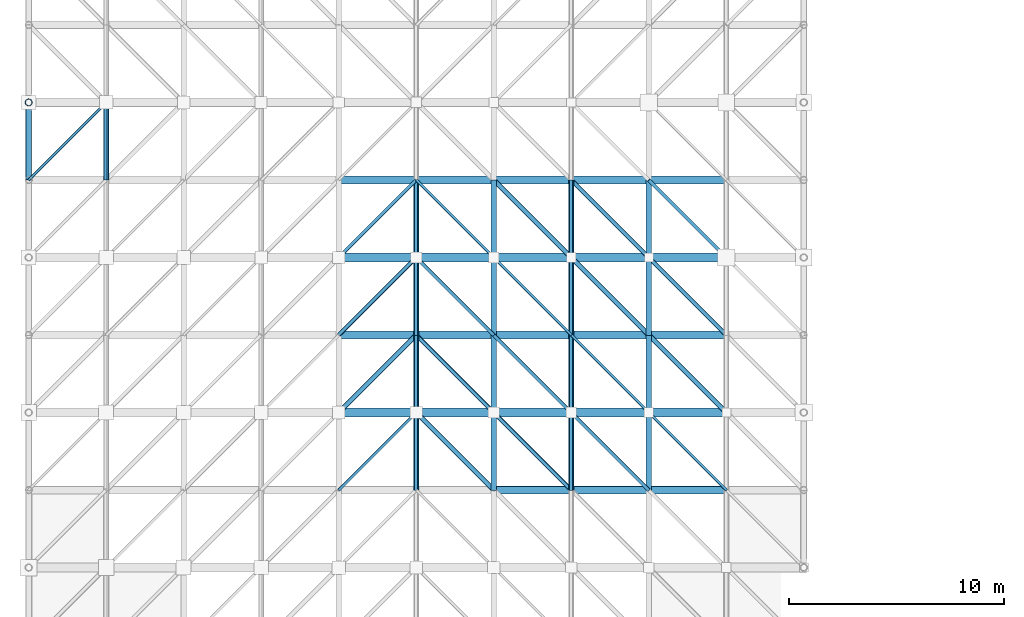
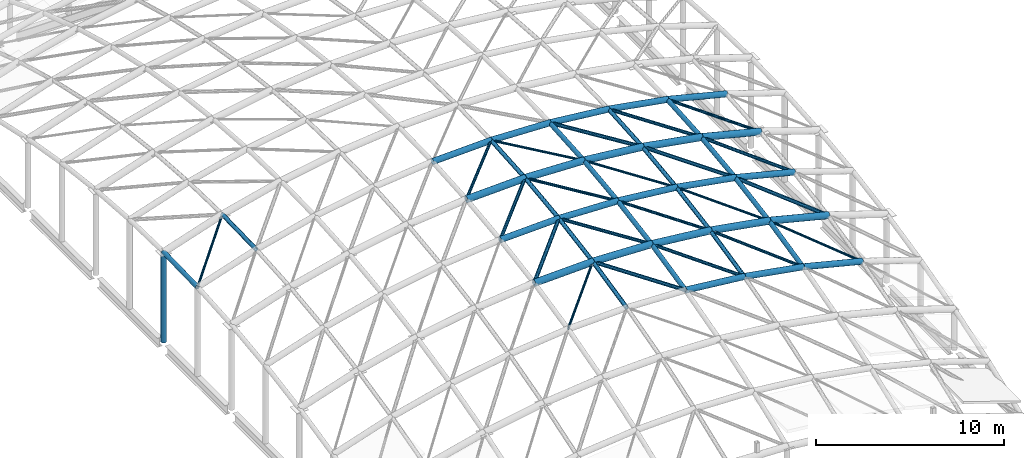
# One storey, part 5 of 40: 63 members.
"""IFC4 building model written with IfcOpenShell, lengths in metres."""

from ifc_helpers import new_model, si_unit, direction, frame, origin, origin_2d, place, context, subcontext, project, spatial, hollow_circle, extrude, material, material_profile, profile_set, type_object, element, save


model = new_model("IFC4")

# Units and contexts
model_context = context("Model", 3, precision=1e-05, world=origin(), true_north=direction((0.0, 1.0)))
body_context = subcontext(model_context, "Body", "Model", "MODEL_VIEW")
ifc_project = project(units=[si_unit("LENGTHUNIT", "METRE"), si_unit("AREAUNIT", "SQUARE_METRE"), si_unit("VOLUMEUNIT", "CUBIC_METRE"), si_unit("PLANEANGLEUNIT", "RADIAN"), si_unit("MASSUNIT", "GRAM", prefix="KILO")], contexts=[model_context])

# Site, building, storey
site_placement = place(None, origin())
site = spatial("IfcSite", under=ifc_project, at=site_placement, CompositionType="ELEMENT")
building_placement = place(site_placement, origin())
building = spatial("IfcBuilding", under=site, at=building_placement, Name="Kavelor Marine Aquarium", CompositionType="ELEMENT")
storey_placement = place(building_placement, frame((0.0, 0.0, 17.639892578125)))
storey = spatial("IfcBuildingStorey", under=building, at=storey_placement, Name="L04", CompositionType="ELEMENT", Elevation=17.639892578125)

# Members
ifc_material_1 = material(Name="Steel S355", Category="steel")
ifc_material_profile_1 = material_profile(ifc_material_1, hollow_circle(Radius=0.109619140625, WallThickness=0.0087890625, at=origin_2d()), Name="CHS 219.1x8.8")
ifc_profile_set_1 = profile_set([ifc_material_profile_1], Name="Steel S355")
member_type_1 = type_object("IfcMemberType", Name="GS-BR1", PredefinedType="BRACE", material=ifc_profile_set_1)
member_1_placement = place(storey_placement, frame((17.60009765625, 38.800048828125, 7.471923828125), z_axis=(0.699715066464, 0.699715066464, 0.144213908917), x_axis=(-0.707106781187, 0.707106781187, 0.0)))
element("IfcMember", 1, at=member_1_placement, inside=storey, type_object=member_type_1, Name="gs:diag:04_04", PredefinedType="BRACE", context=body_context, shape_type="SweptSolid", body=[
    extrude(hollow_circle(Radius=0.109619140625, WallThickness=0.0087890625, at=origin_2d()), origin(), (0.0, 0.0, 1.0), 5.144775390625),
])
member_2_placement = place(storey_placement, frame((24.800048828125, 35.199951171875, 6.670654296875), z_axis=(-0.695693070127, 0.695693070127, 0.178947769903), x_axis=(-0.707106781187, -0.707106781187, 0.0)))
element("IfcMember", 2, at=member_2_placement, inside=storey, type_object=member_type_1, Name="gs:diag:05_03", PredefinedType="BRACE", context=body_context, shape_type="SweptSolid", body=[
    extrude(hollow_circle(Radius=0.109619140625, WallThickness=0.0087890625, at=origin_2d()), origin(), (0.0, 0.0, 1.0), 5.1748046875),
])
member_3_placement = place(storey_placement, frame((28.39990234375, 46.0, 8.15087890625), z_axis=(-0.70160464009, 0.701652222636, 0.124238027486), x_axis=(-0.707130757816, -0.707082803744, 0.0)))
element("IfcMember", 3, at=member_3_placement, inside=storey, type_object=member_type_1, Name="gs:diag:06_06", PredefinedType="BRACE", context=body_context, shape_type="SweptSolid", body=[
    extrude(hollow_circle(Radius=0.109619140625, WallThickness=0.0087890625, at=origin_2d()), origin(), (0.0, 0.0, 1.0), 5.130859375),
])
member_4_placement = place(storey_placement, frame((32.0, 42.39990234375, 7.080078125), z_axis=(-0.691968034363, 0.691968034363, 0.205816614588), x_axis=(-0.707106781187, -0.707106781187, 0.0)))
element("IfcMember", 4, at=member_4_placement, inside=storey, type_object=member_type_1, Name="gs:diag:07_05", PredefinedType="BRACE", context=body_context, shape_type="SweptSolid", body=[
    extrude(hollow_circle(Radius=0.109619140625, WallThickness=0.0087890625, at=origin_2d()), origin(), (0.0, 0.0, 1.0), 5.20263671875),
])
member_5_placement = place(storey_placement, frame((35.60009765625, 38.800048828125, 5.56298828125), z_axis=(-0.677682804336, 0.677636847276, 0.285577169818), x_axis=(-0.707082803744, -0.707130757816, 0.0)))
element("IfcMember", 5, at=member_5_placement, inside=storey, type_object=member_type_1, Name="gs:diag:08_04", PredefinedType="BRACE", context=body_context, shape_type="SweptSolid", body=[
    extrude(hollow_circle(Radius=0.109619140625, WallThickness=0.0087890625, at=origin_2d()), origin(), (0.0, 0.0, 1.0), 5.312255859375),
])
ifc_material_2 = material(Name="Steel S355", Category="steel")
ifc_material_profile_2 = material_profile(ifc_material_2, hollow_circle(Radius=0.096923828125, WallThickness=0.008056640625, at=origin_2d()), Name="CHS 193.7x8.0")
ifc_profile_set_2 = profile_set([ifc_material_profile_2], Name="Steel S355")
member_type_2 = type_object("IfcMemberType", Name="GS-BR2", PredefinedType="BRACE", material=ifc_profile_set_2)
member_6_placement = place(storey_placement, frame((17.60009765625, 42.39990234375, 8.089111328125), z_axis=(0.702802489461, 0.702850153244, 0.109865021242), x_axis=(-0.707130757816, 0.707082803744, 0.0)))
element("IfcMember", 6, at=member_6_placement, inside=storey, type_object=member_type_2, Name="gs:diag:04_05", PredefinedType="BRACE", context=body_context, shape_type="SweptSolid", body=[
    extrude(hollow_circle(Radius=0.096923828125, WallThickness=0.008056640625, at=origin_2d()), origin(), (0.0, 0.0, 1.0), 5.1220703125),
])
member_7_placement = place(storey_placement, frame((24.800048828125, 38.800048828125, 7.471923828125), z_axis=(-0.699739285926, 0.699691833106, 0.144209120435), x_axis=(-0.707082803744, -0.707130757816, 0.0)))
element("IfcMember", 7, at=member_7_placement, inside=storey, type_object=member_type_2, Name="gs:diag:05_04", PredefinedType="BRACE", context=body_context, shape_type="SweptSolid", body=[
    extrude(hollow_circle(Radius=0.096923828125, WallThickness=0.008056640625, at=origin_2d()), origin(), (0.0, 0.0, 1.0), 5.14501953125),
])
member_8_placement = place(storey_placement, frame((28.39990234375, 35.199951171875, 6.29443359375), z_axis=(-0.688897705866, 0.688944426633, 0.22533425808), x_axis=(-0.707130757816, -0.707082803744, 0.0)))
element("IfcMember", 8, at=member_8_placement, inside=storey, type_object=member_type_2, Name="gs:diag:06_03", PredefinedType="BRACE", context=body_context, shape_type="SweptSolid", body=[
    extrude(hollow_circle(Radius=0.096923828125, WallThickness=0.008056640625, at=origin_2d()), origin(), (0.0, 0.0, 1.0), 5.2255859375),
])
member_9_placement = place(storey_placement, frame((32.0, 46.0, 7.517822265625), z_axis=(-0.696439048992, 0.696439048992, 0.17304710942), x_axis=(-0.707106781187, -0.707106781187, 0.0)))
element("IfcMember", 9, at=member_9_placement, inside=storey, type_object=member_type_2, Name="gs:diag:07_06", PredefinedType="BRACE", context=body_context, shape_type="SweptSolid", body=[
    extrude(hollow_circle(Radius=0.096923828125, WallThickness=0.008056640625, at=origin_2d()), origin(), (0.0, 0.0, 1.0), 5.169189453125),
])
member_10_placement = place(storey_placement, frame((35.60009765625, 42.39990234375, 6.180419921875), z_axis=(-0.683904744673, 0.683904744673, 0.254064165965), x_axis=(-0.707106781187, -0.707106781187, 0.0)))
element("IfcMember", 10, at=member_10_placement, inside=storey, type_object=member_type_2, Name="gs:diag:08_05", PredefinedType="BRACE", context=body_context, shape_type="SweptSolid", body=[
    extrude(hollow_circle(Radius=0.096923828125, WallThickness=0.008056640625, at=origin_2d()), origin(), (0.0, 0.0, 1.0), 5.263916015625),
])
ifc_material_3 = material(Name="Steel S355", Category="steel")
ifc_material_profile_3 = material_profile(ifc_material_3, hollow_circle(Radius=0.084228515625, WallThickness=0.007080078125, at=origin_2d()), Name="CHS 168.3x7.1")
ifc_profile_set_3 = profile_set([ifc_material_profile_3], Name="Steel S355")
member_type_3 = type_object("IfcMemberType", Name="GS-BR3", PredefinedType="BRACE", material=ifc_profile_set_3)
member_11_placement = place(storey_placement, frame((17.60009765625, 46.0, 8.52685546875), z_axis=(0.705056826524, 0.705104643196, 0.075645974877), x_axis=(-0.707130757816, 0.707082803744, 0.0)))
element("IfcMember", 11, at=member_11_placement, inside=storey, type_object=member_type_3, Name="gs:diag:04_06", PredefinedType="BRACE", context=body_context, shape_type="SweptSolid", body=[
    extrude(hollow_circle(Radius=0.084228515625, WallThickness=0.007080078125, at=origin_2d()), origin(), (0.0, 0.0, 1.0), 5.105712890625),
])
member_12_placement = place(storey_placement, frame((24.800048828125, 42.39990234375, 8.089111328125), z_axis=(-0.702826609396, 0.702826609396, 0.109861341018), x_axis=(-0.707106781187, -0.707106781187, 0.0)))
element("IfcMember", 12, at=member_12_placement, inside=storey, type_object=member_type_3, Name="gs:diag:05_05", PredefinedType="BRACE", context=body_context, shape_type="SweptSolid", body=[
    extrude(hollow_circle(Radius=0.084228515625, WallThickness=0.007080078125, at=origin_2d()), origin(), (0.0, 0.0, 1.0), 5.122314453125),
])
member_13_placement = place(storey_placement, frame((28.39990234375, 38.800048828125, 7.095703125), z_axis=(-0.694017376422, 0.694017376422, 0.191519613744), x_axis=(-0.707106781187, -0.707106781187, 0.0)))
element("IfcMember", 13, at=member_13_placement, inside=storey, type_object=member_type_3, Name="gs:diag:06_04", PredefinedType="BRACE", context=body_context, shape_type="SweptSolid", body=[
    extrude(hollow_circle(Radius=0.084228515625, WallThickness=0.007080078125, at=origin_2d()), origin(), (0.0, 0.0, 1.0), 5.18701171875),
])
member_14_placement = place(storey_placement, frame((32.0, 35.199951171875, 5.661376953125), z_axis=(-0.680613458461, 0.680613458461, 0.271165337614), x_axis=(-0.707106781187, -0.707106781187, 0.0)))
element("IfcMember", 14, at=member_14_placement, inside=storey, type_object=member_type_3, Name="gs:diag:07_03", PredefinedType="BRACE", context=body_context, shape_type="SweptSolid", body=[
    extrude(hollow_circle(Radius=0.084228515625, WallThickness=0.007080078125, at=origin_2d()), origin(), (0.0, 0.0, 1.0), 5.28955078125),
])
member_15_placement = place(storey_placement, frame((35.60009765625, 46.0, 6.6181640625), z_axis=(-0.689405293414, 0.689405293414, 0.222352609215), x_axis=(-0.707106781187, -0.707106781187, 0.0)))
element("IfcMember", 15, at=member_15_placement, inside=storey, type_object=member_type_3, Name="gs:diag:08_06", PredefinedType="BRACE", context=body_context, shape_type="SweptSolid", body=[
    extrude(hollow_circle(Radius=0.084228515625, WallThickness=0.007080078125, at=origin_2d()), origin(), (0.0, 0.0, 1.0), 5.221923828125),
])
ifc_material_4 = material(Name="Steel S355", Category="steel")
ifc_material_profile_4 = material_profile(ifc_material_4, hollow_circle(Radius=0.06982421875, WallThickness=0.00634765625, at=origin_2d()), Name="CHS 139.7x6.3")
ifc_profile_set_4 = profile_set([ifc_material_profile_4], Name="Steel S355")
member_type_4 = type_object("IfcMemberType", Name="GS-BR4", PredefinedType="BRACE", material=ifc_profile_set_4)
member_16_placement = place(storey_placement, frame((3.199951171875, 49.60009765625, 5.698486328125), z_axis=(0.68616693214, 0.68612039973, 0.24168934257), x_axis=(-0.707082803744, 0.707130757816, 0.0)))
element("IfcMember", 16, at=member_16_placement, inside=storey, type_object=member_type_4, Name="gs:diag:00_07", PredefinedType="BRACE", context=body_context, shape_type="SweptSolid", body=[
    extrude(hollow_circle(Radius=0.06982421875, WallThickness=0.00634765625, at=origin_2d()), origin(), (0.0, 0.0, 1.0), 5.24658203125),
])
member_17_placement = place(storey_placement, frame((17.60009765625, 35.199951171875, 6.670654296875), z_axis=(0.695668724335, 0.695715904309, 0.178953643364), x_axis=(-0.707130757816, 0.707082803744, 0.0)))
element("IfcMember", 17, at=member_17_placement, inside=storey, type_object=member_type_4, Name="gs:diag:04_03", PredefinedType="BRACE", context=body_context, shape_type="SweptSolid", body=[
    extrude(hollow_circle(Radius=0.06982421875, WallThickness=0.00634765625, at=origin_2d()), origin(), (0.0, 0.0, 1.0), 5.174560546875),
])
member_18_placement = place(storey_placement, frame((24.800048828125, 46.0, 8.52685546875), z_axis=(-0.705080872067, 0.705080872067, 0.075643424631), x_axis=(-0.707106781187, -0.707106781187, 0.0)))
element("IfcMember", 18, at=member_18_placement, inside=storey, type_object=member_type_4, Name="gs:diag:05_06", PredefinedType="BRACE", context=body_context, shape_type="SweptSolid", body=[
    extrude(hollow_circle(Radius=0.06982421875, WallThickness=0.00634765625, at=origin_2d()), origin(), (0.0, 0.0, 1.0), 5.10595703125),
])
member_19_placement = place(storey_placement, frame((28.39990234375, 42.39990234375, 7.713134765625), z_axis=(-0.698220697886, 0.698268050934, 0.157827710143), x_axis=(-0.707130757816, -0.707082803744, 0.0)))
element("IfcMember", 19, at=member_19_placement, inside=storey, type_object=member_type_4, Name="gs:diag:06_05", PredefinedType="BRACE", context=body_context, shape_type="SweptSolid", body=[
    extrude(hollow_circle(Radius=0.06982421875, WallThickness=0.00634765625, at=origin_2d()), origin(), (0.0, 0.0, 1.0), 5.15576171875),
])
member_20_placement = place(storey_placement, frame((32.0, 38.800048828125, 6.462890625), z_axis=(-0.68672699201, 0.686680421619, 0.238486974507), x_axis=(-0.707082803744, -0.707130757816, 0.0)))
element("IfcMember", 20, at=member_20_placement, inside=storey, type_object=member_type_4, Name="gs:diag:07_04", PredefinedType="BRACE", context=body_context, shape_type="SweptSolid", body=[
    extrude(hollow_circle(Radius=0.06982421875, WallThickness=0.00634765625, at=origin_2d()), origin(), (0.0, 0.0, 1.0), 5.242431640625),
])
member_21_placement = place(storey_placement, frame((35.60009765625, 35.199951171875, 4.76171875), z_axis=(-0.670659399059, 0.670659399059, 0.316909988651), x_axis=(-0.707106781187, -0.707106781187, 0.0)))
element("IfcMember", 21, at=member_21_placement, inside=storey, type_object=member_type_4, Name="gs:diag:08_03", PredefinedType="BRACE", context=body_context, shape_type="SweptSolid", body=[
    extrude(hollow_circle(Radius=0.06982421875, WallThickness=0.00634765625, at=origin_2d()), origin(), (0.0, 0.0, 1.0), 5.367919921875),
])
ifc_material_5 = material(Name="Steel S355", Category="steel")
ifc_material_profile_5 = material_profile(ifc_material_5, hollow_circle(Radius=0.203125, WallThickness=0.01611328125, at=origin_2d()), Name="CHS 406.4x16.0")
ifc_profile_set_5 = profile_set([ifc_material_profile_5], Name="Steel S355")
member_type_5 = type_object("IfcMemberType", Name="GS-CH1", PredefinedType="CHORD", material=ifc_profile_set_5)
member_22_placement = place(storey_placement, frame((17.60009765625, 38.800048828125, 7.471923828125), z_axis=(0.999400027608, 0.0, 0.034635022998), x_axis=(0.0, 1.0, 0.0)))
element("IfcMember", 22, at=member_22_placement, inside=storey, type_object=member_type_5, Name="gs:arch:04_04", PredefinedType="CHORD", context=body_context, shape_type="SweptSolid", body=[
    extrude(hollow_circle(Radius=0.203125, WallThickness=0.01611328125, at=origin_2d()), origin(), (0.0, 0.0, 1.0), 3.60205078125),
])
member_23_placement = place(storey_placement, frame((21.199951171875, 38.800048828125, 7.5966796875), z_axis=(0.999400108906, 0.0, -0.034632677041), x_axis=(0.0, 1.0, 0.0)))
element("IfcMember", 23, at=member_23_placement, inside=storey, type_object=member_type_5, Name="gs:arch:05_04", PredefinedType="CHORD", context=body_context, shape_type="SweptSolid", body=[
    extrude(hollow_circle(Radius=0.203125, WallThickness=0.01611328125, at=origin_2d()), origin(), (0.0, 0.0, 1.0), 3.602294921875),
])
member_24_placement = place(storey_placement, frame((24.800048828125, 38.800048828125, 7.471923828125), z_axis=(0.994583162832, 0.0, -0.10394388972), x_axis=(0.0, 1.0, 0.0)))
element("IfcMember", 24, at=member_24_placement, inside=storey, type_object=member_type_5, Name="gs:arch:06_04", PredefinedType="CHORD", context=body_context, shape_type="SweptSolid", body=[
    extrude(hollow_circle(Radius=0.203125, WallThickness=0.01611328125, at=origin_2d()), origin(), (0.0, 0.0, 1.0), 3.619384765625),
])
member_25_placement = place(storey_placement, frame((28.39990234375, 38.800048828125, 7.095703125), z_axis=(0.984900331996, 0.0, -0.17312231524), x_axis=(0.0, 1.0, 0.0)))
element("IfcMember", 25, at=member_25_placement, inside=storey, type_object=member_type_5, Name="gs:arch:07_04", PredefinedType="CHORD", context=body_context, shape_type="SweptSolid", body=[
    extrude(hollow_circle(Radius=0.203125, WallThickness=0.01611328125, at=origin_2d()), origin(), (0.0, 0.0, 1.0), 3.6552734375),
])
member_26_placement = place(storey_placement, frame((32.0, 38.800048828125, 6.462890625), z_axis=(0.970150239738, 0.0, -0.242504664565), x_axis=(0.0, 1.0, 0.0)))
element("IfcMember", 26, at=member_26_placement, inside=storey, type_object=member_type_5, Name="gs:arch:08_04", PredefinedType="CHORD", context=body_context, shape_type="SweptSolid", body=[
    extrude(hollow_circle(Radius=0.203125, WallThickness=0.01611328125, at=origin_2d()), origin(), (0.0, 0.0, 1.0), 3.7109375),
])
member_27_placement = place(storey_placement, frame((17.60009765625, 46.0, 8.52685546875), z_axis=(0.999397679205, 0.0, 0.034702720363), x_axis=(0.0, 1.0, 0.0)))
element("IfcMember", 27, at=member_27_placement, inside=storey, type_object=member_type_5, Name="gs:arch:04_06", PredefinedType="CHORD", context=body_context, shape_type="SweptSolid", body=[
    extrude(hollow_circle(Radius=0.203125, WallThickness=0.01611328125, at=origin_2d()), origin(), (0.0, 0.0, 1.0), 3.60205078125),
])
member_28_placement = place(storey_placement, frame((21.199951171875, 46.0, 8.65185546875), z_axis=(0.999397760821, 0.0, -0.034700369832), x_axis=(0.0, 1.0, 0.0)))
element("IfcMember", 28, at=member_28_placement, inside=storey, type_object=member_type_5, Name="gs:arch:05_06", PredefinedType="CHORD", context=body_context, shape_type="SweptSolid", body=[
    extrude(hollow_circle(Radius=0.203125, WallThickness=0.01611328125, at=origin_2d()), origin(), (0.0, 0.0, 1.0), 3.602294921875),
])
member_29_placement = place(storey_placement, frame((24.800048828125, 46.0, 8.52685546875), z_axis=(0.994590133912, 0.0, -0.103877165563), x_axis=(0.0, 1.0, 0.0)))
element("IfcMember", 29, at=member_29_placement, inside=storey, type_object=member_type_5, Name="gs:arch:06_06", PredefinedType="CHORD", context=body_context, shape_type="SweptSolid", body=[
    extrude(hollow_circle(Radius=0.203125, WallThickness=0.01611328125, at=origin_2d()), origin(), (0.0, 0.0, 1.0), 3.619384765625),
])
member_30_placement = place(storey_placement, frame((28.39990234375, 46.0, 8.15087890625), z_axis=(0.984888941579, 0.0, -0.173187103317), x_axis=(0.0, 1.0, 0.0)))
element("IfcMember", 30, at=member_30_placement, inside=storey, type_object=member_type_5, Name="gs:arch:07_06", PredefinedType="CHORD", context=body_context, shape_type="SweptSolid", body=[
    extrude(hollow_circle(Radius=0.203125, WallThickness=0.01611328125, at=origin_2d()), origin(), (0.0, 0.0, 1.0), 3.6552734375),
])
member_31_placement = place(storey_placement, frame((32.0, 46.0, 7.517822265625), z_axis=(0.97016571633, 0.0, -0.2424427414), x_axis=(0.0, 1.0, 0.0)))
element("IfcMember", 31, at=member_31_placement, inside=storey, type_object=member_type_5, Name="gs:arch:08_06", PredefinedType="CHORD", context=body_context, shape_type="SweptSolid", body=[
    extrude(hollow_circle(Radius=0.203125, WallThickness=0.01611328125, at=origin_2d()), origin(), (0.0, 0.0, 1.0), 3.710693359375),
])
ifc_material_6 = material(Name="Steel S355", Category="steel")
ifc_material_profile_6 = material_profile(ifc_material_6, hollow_circle(Radius=0.177734375, WallThickness=0.01416015625, at=origin_2d()), Name="CHS 355.6x14.2")
ifc_profile_set_6 = profile_set([ifc_material_profile_6], Name="Steel S355")
member_type_6 = type_object("IfcMemberType", Name="GS-CH2", PredefinedType="CHORD", material=ifc_profile_set_6)
member_32_placement = place(storey_placement, frame((24.800048828125, 35.199951171875, 6.670654296875), z_axis=(0.994583162832, 0.0, -0.10394388972), x_axis=(0.0, 1.0, 0.0)))
element("IfcMember", 32, at=member_32_placement, inside=storey, type_object=member_type_6, Name="gs:arch:06_03", PredefinedType="CHORD", context=body_context, shape_type="SweptSolid", body=[
    extrude(hollow_circle(Radius=0.177734375, WallThickness=0.01416015625, at=origin_2d()), origin(), (0.0, 0.0, 1.0), 3.619384765625),
])
member_33_placement = place(storey_placement, frame((28.39990234375, 35.199951171875, 6.29443359375), z_axis=(0.984888941579, 0.0, -0.173187103317), x_axis=(0.0, 1.0, 0.0)))
element("IfcMember", 33, at=member_33_placement, inside=storey, type_object=member_type_6, Name="gs:arch:07_03", PredefinedType="CHORD", context=body_context, shape_type="SweptSolid", body=[
    extrude(hollow_circle(Radius=0.177734375, WallThickness=0.01416015625, at=origin_2d()), origin(), (0.0, 0.0, 1.0), 3.6552734375),
])
member_34_placement = place(storey_placement, frame((32.0, 35.199951171875, 5.661376953125), z_axis=(0.97016571633, 0.0, -0.2424427414), x_axis=(0.0, 1.0, 0.0)))
element("IfcMember", 34, at=member_34_placement, inside=storey, type_object=member_type_6, Name="gs:arch:08_03", PredefinedType="CHORD", context=body_context, shape_type="SweptSolid", body=[
    extrude(hollow_circle(Radius=0.177734375, WallThickness=0.01416015625, at=origin_2d()), origin(), (0.0, 0.0, 1.0), 3.710693359375),
])
member_35_placement = place(storey_placement, frame((17.60009765625, 42.39990234375, 8.089111328125), z_axis=(0.999400027608, 0.0, 0.034635022998), x_axis=(0.0, 1.0, 0.0)))
element("IfcMember", 35, at=member_35_placement, inside=storey, type_object=member_type_6, Name="gs:arch:04_05", PredefinedType="CHORD", context=body_context, shape_type="SweptSolid", body=[
    extrude(hollow_circle(Radius=0.177734375, WallThickness=0.01416015625, at=origin_2d()), origin(), (0.0, 0.0, 1.0), 3.60205078125),
])
member_36_placement = place(storey_placement, frame((21.199951171875, 42.39990234375, 8.2138671875), z_axis=(0.999400108906, 0.0, -0.034632677041), x_axis=(0.0, 1.0, 0.0)))
element("IfcMember", 36, at=member_36_placement, inside=storey, type_object=member_type_6, Name="gs:arch:05_05", PredefinedType="CHORD", context=body_context, shape_type="SweptSolid", body=[
    extrude(hollow_circle(Radius=0.177734375, WallThickness=0.01416015625, at=origin_2d()), origin(), (0.0, 0.0, 1.0), 3.602294921875),
])
member_37_placement = place(storey_placement, frame((24.800048828125, 42.39990234375, 8.089111328125), z_axis=(0.994590133912, 0.0, -0.103877165563), x_axis=(0.0, 1.0, 0.0)))
element("IfcMember", 37, at=member_37_placement, inside=storey, type_object=member_type_6, Name="gs:arch:06_05", PredefinedType="CHORD", context=body_context, shape_type="SweptSolid", body=[
    extrude(hollow_circle(Radius=0.177734375, WallThickness=0.01416015625, at=origin_2d()), origin(), (0.0, 0.0, 1.0), 3.619384765625),
])
member_38_placement = place(storey_placement, frame((28.39990234375, 42.39990234375, 7.713134765625), z_axis=(0.984888941579, 0.0, -0.173187103317), x_axis=(0.0, 1.0, 0.0)))
element("IfcMember", 38, at=member_38_placement, inside=storey, type_object=member_type_6, Name="gs:arch:07_05", PredefinedType="CHORD", context=body_context, shape_type="SweptSolid", body=[
    extrude(hollow_circle(Radius=0.177734375, WallThickness=0.01416015625, at=origin_2d()), origin(), (0.0, 0.0, 1.0), 3.6552734375),
])
member_39_placement = place(storey_placement, frame((32.0, 42.39990234375, 7.080078125), z_axis=(0.97016571633, 0.0, -0.2424427414), x_axis=(0.0, 1.0, 0.0)))
element("IfcMember", 39, at=member_39_placement, inside=storey, type_object=member_type_6, Name="gs:arch:08_05", PredefinedType="CHORD", context=body_context, shape_type="SweptSolid", body=[
    extrude(hollow_circle(Radius=0.177734375, WallThickness=0.01416015625, at=origin_2d()), origin(), (0.0, 0.0, 1.0), 3.710693359375),
])
member_40_placement = place(storey_placement, frame((17.60009765625, 49.60009765625, 8.788330078125), z_axis=(0.999400027608, 0.0, 0.034635022998), x_axis=(0.0, 1.0, 0.0)))
element("IfcMember", 40, at=member_40_placement, inside=storey, type_object=member_type_6, Name="gs:arch:04_07", PredefinedType="CHORD", context=body_context, shape_type="SweptSolid", body=[
    extrude(hollow_circle(Radius=0.177734375, WallThickness=0.01416015625, at=origin_2d()), origin(), (0.0, 0.0, 1.0), 3.60205078125),
])
member_41_placement = place(storey_placement, frame((21.199951171875, 49.60009765625, 8.9130859375), z_axis=(0.999400108906, 0.0, -0.034632677041), x_axis=(0.0, 1.0, 0.0)))
element("IfcMember", 41, at=member_41_placement, inside=storey, type_object=member_type_6, Name="gs:arch:05_07", PredefinedType="CHORD", context=body_context, shape_type="SweptSolid", body=[
    extrude(hollow_circle(Radius=0.177734375, WallThickness=0.01416015625, at=origin_2d()), origin(), (0.0, 0.0, 1.0), 3.602294921875),
])
member_42_placement = place(storey_placement, frame((24.800048828125, 49.60009765625, 8.788330078125), z_axis=(0.994590133912, 0.0, -0.103877165563), x_axis=(0.0, 1.0, 0.0)))
element("IfcMember", 42, at=member_42_placement, inside=storey, type_object=member_type_6, Name="gs:arch:06_07", PredefinedType="CHORD", context=body_context, shape_type="SweptSolid", body=[
    extrude(hollow_circle(Radius=0.177734375, WallThickness=0.01416015625, at=origin_2d()), origin(), (0.0, 0.0, 1.0), 3.619384765625),
])
member_43_placement = place(storey_placement, frame((28.39990234375, 49.60009765625, 8.412353515625), z_axis=(0.984888941579, 0.0, -0.173187103317), x_axis=(0.0, 1.0, 0.0)))
element("IfcMember", 43, at=member_43_placement, inside=storey, type_object=member_type_6, Name="gs:arch:07_07", PredefinedType="CHORD", context=body_context, shape_type="SweptSolid", body=[
    extrude(hollow_circle(Radius=0.177734375, WallThickness=0.01416015625, at=origin_2d()), origin(), (0.0, 0.0, 1.0), 3.6552734375),
])
member_44_placement = place(storey_placement, frame((32.0, 49.60009765625, 7.779296875), z_axis=(0.97016571633, 0.0, -0.2424427414), x_axis=(0.0, 1.0, 0.0)))
element("IfcMember", 44, at=member_44_placement, inside=storey, type_object=member_type_6, Name="gs:arch:08_07", PredefinedType="CHORD", context=body_context, shape_type="SweptSolid", body=[
    extrude(hollow_circle(Radius=0.177734375, WallThickness=0.01416015625, at=origin_2d()), origin(), (0.0, 0.0, 1.0), 3.710693359375),
])
ifc_material_7 = material(Name="Steel S355", Category="steel")
ifc_material_profile_7 = material_profile(ifc_material_7, hollow_circle(Radius=0.161865234375, WallThickness=0.012451171875, at=origin_2d()), Name="CHS 323.9x12.5")
ifc_profile_set_7 = profile_set([ifc_material_profile_7], Name="Steel S355")
member_type_7 = type_object("IfcMemberType", Name="GS-CH3", PredefinedType="CHORD", material=ifc_profile_set_7)
member_45_placement = place(storey_placement, frame((3.199951171875, 53.199951171875, 0.0), z_axis=(0.0, 0.0, 1.0), x_axis=(1.0, 0.0, 0.0)))
element("IfcMember", 45, at=member_45_placement, inside=storey, type_object=member_type_7, Name="gs:post:x:00_08", PredefinedType="CHORD", context=body_context, shape_type="SweptSolid", body=[
    extrude(hollow_circle(Radius=0.161865234375, WallThickness=0.012451171875, at=origin_2d()), origin(), (0.0, 0.0, 1.0), 5.785400390625),
])
ifc_material_8 = material(Name="Steel S355", Category="steel")
ifc_material_profile_8 = material_profile(ifc_material_8, hollow_circle(Radius=0.136474609375, WallThickness=0.010009765625, at=origin_2d()), Name="CHS 273.0x10.0")
ifc_profile_set_8 = profile_set([ifc_material_profile_8], Name="Steel S355")
member_type_8 = type_object("IfcMemberType", Name="GS-CH4", PredefinedType="CHORD", material=ifc_profile_set_8)
member_46_placement = place(storey_placement, frame((3.199951171875, 49.60009765625, 5.698486328125), z_axis=(0.0, 0.999708666365, 0.024136743657), x_axis=(-1.0, 0.0, 0.0)))
element("IfcMember", 46, at=member_46_placement, inside=storey, type_object=member_type_8, Name="gs:long:00_07", PredefinedType="CHORD", context=body_context, shape_type="SweptSolid", body=[
    extrude(hollow_circle(Radius=0.136474609375, WallThickness=0.010009765625, at=origin_2d()), origin(), (0.0, 0.0, 1.0), 3.600830078125),
])
member_47_placement = place(storey_placement, frame((24.800048828125, 35.199951171875, 6.670654296875), z_axis=(0.0, 0.976115360304, 0.21725285586), x_axis=(-1.0, 0.0, 0.0)))
element("IfcMember", 47, at=member_47_placement, inside=storey, type_object=member_type_8, Name="gs:long:06_03", PredefinedType="CHORD", context=body_context, shape_type="SweptSolid", body=[
    extrude(hollow_circle(Radius=0.136474609375, WallThickness=0.010009765625, at=origin_2d()), origin(), (0.0, 0.0, 1.0), 3.688232421875),
])
member_48_placement = place(storey_placement, frame((24.800048828125, 38.800048828125, 7.471923828125), z_axis=(0.0, 0.985619074101, 0.168982368215), x_axis=(-1.0, 0.0, 0.0)))
element("IfcMember", 48, at=member_48_placement, inside=storey, type_object=member_type_8, Name="gs:long:06_04", PredefinedType="CHORD", context=body_context, shape_type="SweptSolid", body=[
    extrude(hollow_circle(Radius=0.136474609375, WallThickness=0.010009765625, at=origin_2d()), origin(), (0.0, 0.0, 1.0), 3.65234375),
])
member_49_placement = place(storey_placement, frame((24.800048828125, 42.39990234375, 8.089111328125), z_axis=(0.0, 0.992688629833, 0.120703289929), x_axis=(-1.0, 0.0, 0.0)))
element("IfcMember", 49, at=member_49_placement, inside=storey, type_object=member_type_8, Name="gs:long:06_05", PredefinedType="CHORD", context=body_context, shape_type="SweptSolid", body=[
    extrude(hollow_circle(Radius=0.136474609375, WallThickness=0.010009765625, at=origin_2d()), origin(), (0.0, 0.0, 1.0), 3.626708984375),
])
member_50_placement = place(storey_placement, frame((24.800048828125, 46.0, 8.52685546875), z_axis=(0.0, 0.997372840636, 0.072439055494), x_axis=(-1.0, 0.0, 0.0)))
element("IfcMember", 50, at=member_50_placement, inside=storey, type_object=member_type_8, Name="gs:long:06_06", PredefinedType="CHORD", context=body_context, shape_type="SweptSolid", body=[
    extrude(hollow_circle(Radius=0.136474609375, WallThickness=0.010009765625, at=origin_2d()), origin(), (0.0, 0.0, 1.0), 3.609619140625),
])
member_51_placement = place(storey_placement, frame((32.0, 35.199951171875, 5.661376953125), z_axis=(0.0, 0.976101320845, 0.217315925426), x_axis=(-1.0, 0.0, 0.0)))
element("IfcMember", 51, at=member_51_placement, inside=storey, type_object=member_type_8, Name="gs:long:08_03", PredefinedType="CHORD", context=body_context, shape_type="SweptSolid", body=[
    extrude(hollow_circle(Radius=0.136474609375, WallThickness=0.010009765625, at=origin_2d()), origin(), (0.0, 0.0, 1.0), 3.688232421875),
])
member_52_placement = place(storey_placement, frame((32.0, 38.800048828125, 6.462890625), z_axis=(0.0, 0.985619074101, 0.168982368215), x_axis=(-1.0, 0.0, 0.0)))
element("IfcMember", 52, at=member_52_placement, inside=storey, type_object=member_type_8, Name="gs:long:08_04", PredefinedType="CHORD", context=body_context, shape_type="SweptSolid", body=[
    extrude(hollow_circle(Radius=0.136474609375, WallThickness=0.010009765625, at=origin_2d()), origin(), (0.0, 0.0, 1.0), 3.65234375),
])
member_53_placement = place(storey_placement, frame((32.0, 42.39990234375, 7.080078125), z_axis=(0.0, 0.992688629833, 0.120703289929), x_axis=(-1.0, 0.0, 0.0)))
element("IfcMember", 53, at=member_53_placement, inside=storey, type_object=member_type_8, Name="gs:long:08_05", PredefinedType="CHORD", context=body_context, shape_type="SweptSolid", body=[
    extrude(hollow_circle(Radius=0.136474609375, WallThickness=0.010009765625, at=origin_2d()), origin(), (0.0, 0.0, 1.0), 3.626708984375),
])
member_54_placement = place(storey_placement, frame((32.0, 46.0, 7.517822265625), z_axis=(0.0, 0.997372840636, 0.072439055494), x_axis=(-1.0, 0.0, 0.0)))
element("IfcMember", 54, at=member_54_placement, inside=storey, type_object=member_type_8, Name="gs:long:08_06", PredefinedType="CHORD", context=body_context, shape_type="SweptSolid", body=[
    extrude(hollow_circle(Radius=0.136474609375, WallThickness=0.010009765625, at=origin_2d()), origin(), (0.0, 0.0, 1.0), 3.609619140625),
])
ifc_material_9 = material(Name="Steel S355", Category="steel")
ifc_material_profile_9 = material_profile(ifc_material_9, hollow_circle(Radius=0.122314453125, WallThickness=0.010009765625, at=origin_2d()), Name="CHS 244.5x10.0")
ifc_profile_set_9 = profile_set([ifc_material_profile_9], Name="Steel S355")
member_type_9 = type_object("IfcMemberType", Name="GS-CH5", PredefinedType="CHORD", material=ifc_profile_set_9)
member_55_placement = place(storey_placement, frame((6.800048828125, 49.60009765625, 6.879638671875), z_axis=(0.0, 0.999708666365, 0.024136743657), x_axis=(-1.0, 0.0, 0.0)))
element("IfcMember", 55, at=member_55_placement, inside=storey, type_object=member_type_9, Name="gs:long:01_07", PredefinedType="CHORD", context=body_context, shape_type="SweptSolid", body=[
    extrude(hollow_circle(Radius=0.122314453125, WallThickness=0.010009765625, at=origin_2d()), origin(), (0.0, 0.0, 1.0), 3.600830078125),
])
member_56_placement = place(storey_placement, frame((21.199951171875, 35.199951171875, 6.79541015625), z_axis=(0.0, 0.976115360304, 0.21725285586), x_axis=(-1.0, 0.0, 0.0)))
element("IfcMember", 56, at=member_56_placement, inside=storey, type_object=member_type_9, Name="gs:long:05_03", PredefinedType="CHORD", context=body_context, shape_type="SweptSolid", body=[
    extrude(hollow_circle(Radius=0.122314453125, WallThickness=0.010009765625, at=origin_2d()), origin(), (0.0, 0.0, 1.0), 3.688232421875),
])
member_57_placement = place(storey_placement, frame((21.199951171875, 38.800048828125, 7.5966796875), z_axis=(0.0, 0.985619074101, 0.168982368215), x_axis=(-1.0, 0.0, 0.0)))
element("IfcMember", 57, at=member_57_placement, inside=storey, type_object=member_type_9, Name="gs:long:05_04", PredefinedType="CHORD", context=body_context, shape_type="SweptSolid", body=[
    extrude(hollow_circle(Radius=0.122314453125, WallThickness=0.010009765625, at=origin_2d()), origin(), (0.0, 0.0, 1.0), 3.65234375),
])
member_58_placement = place(storey_placement, frame((21.199951171875, 42.39990234375, 8.2138671875), z_axis=(0.0, 0.992680561445, 0.120769627508), x_axis=(-1.0, 0.0, 0.0)))
element("IfcMember", 58, at=member_58_placement, inside=storey, type_object=member_type_9, Name="gs:long:05_05", PredefinedType="CHORD", context=body_context, shape_type="SweptSolid", body=[
    extrude(hollow_circle(Radius=0.122314453125, WallThickness=0.010009765625, at=origin_2d()), origin(), (0.0, 0.0, 1.0), 3.626708984375),
])
member_59_placement = place(storey_placement, frame((21.199951171875, 46.0, 8.65185546875), z_axis=(0.0, 0.997377725068, 0.072371773079), x_axis=(-1.0, 0.0, 0.0)))
element("IfcMember", 59, at=member_59_placement, inside=storey, type_object=member_type_9, Name="gs:long:05_06", PredefinedType="CHORD", context=body_context, shape_type="SweptSolid", body=[
    extrude(hollow_circle(Radius=0.122314453125, WallThickness=0.010009765625, at=origin_2d()), origin(), (0.0, 0.0, 1.0), 3.609619140625),
])
member_60_placement = place(storey_placement, frame((28.39990234375, 35.199951171875, 6.29443359375), z_axis=(0.0, 0.976115360304, 0.21725285586), x_axis=(-1.0, 0.0, 0.0)))
element("IfcMember", 60, at=member_60_placement, inside=storey, type_object=member_type_9, Name="gs:long:07_03", PredefinedType="CHORD", context=body_context, shape_type="SweptSolid", body=[
    extrude(hollow_circle(Radius=0.122314453125, WallThickness=0.010009765625, at=origin_2d()), origin(), (0.0, 0.0, 1.0), 3.688232421875),
])
member_61_placement = place(storey_placement, frame((28.39990234375, 38.800048828125, 7.095703125), z_axis=(0.0, 0.985607939021, 0.169047302664), x_axis=(-1.0, 0.0, 0.0)))
element("IfcMember", 61, at=member_61_placement, inside=storey, type_object=member_type_9, Name="gs:long:07_04", PredefinedType="CHORD", context=body_context, shape_type="SweptSolid", body=[
    extrude(hollow_circle(Radius=0.122314453125, WallThickness=0.010009765625, at=origin_2d()), origin(), (0.0, 0.0, 1.0), 3.65234375),
])
member_62_placement = place(storey_placement, frame((28.39990234375, 42.39990234375, 7.713134765625), z_axis=(0.0, 0.992688629833, 0.120703289929), x_axis=(-1.0, 0.0, 0.0)))
element("IfcMember", 62, at=member_62_placement, inside=storey, type_object=member_type_9, Name="gs:long:07_05", PredefinedType="CHORD", context=body_context, shape_type="SweptSolid", body=[
    extrude(hollow_circle(Radius=0.122314453125, WallThickness=0.010009765625, at=origin_2d()), origin(), (0.0, 0.0, 1.0), 3.626708984375),
])
member_63_placement = place(storey_placement, frame((28.39990234375, 46.0, 8.15087890625), z_axis=(0.0, 0.997372840636, 0.072439055494), x_axis=(-1.0, 0.0, 0.0)))
element("IfcMember", 63, at=member_63_placement, inside=storey, type_object=member_type_9, Name="gs:long:07_06", PredefinedType="CHORD", context=body_context, shape_type="SweptSolid", body=[
    extrude(hollow_circle(Radius=0.122314453125, WallThickness=0.010009765625, at=origin_2d()), origin(), (0.0, 0.0, 1.0), 3.609619140625),
])

save(model, "model.ifc")
